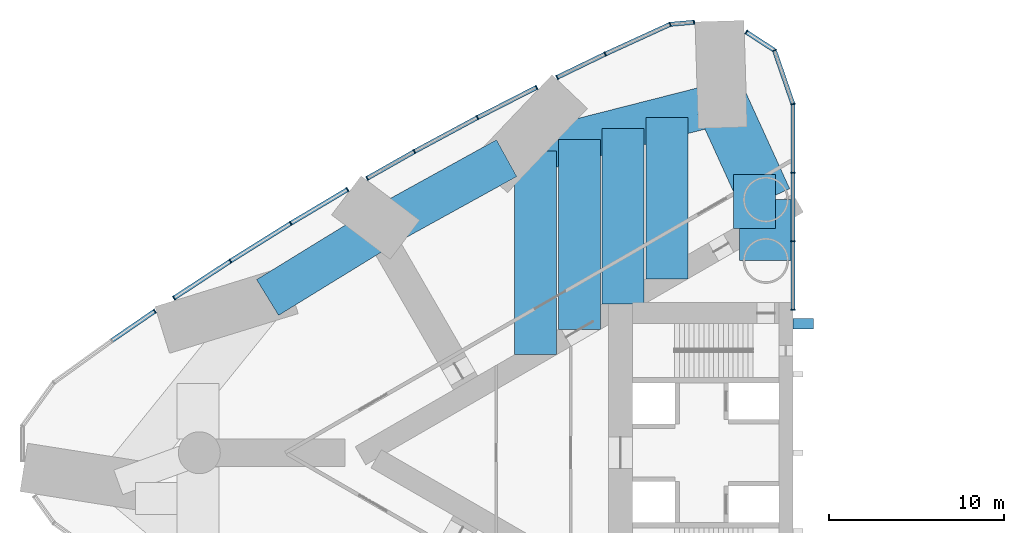
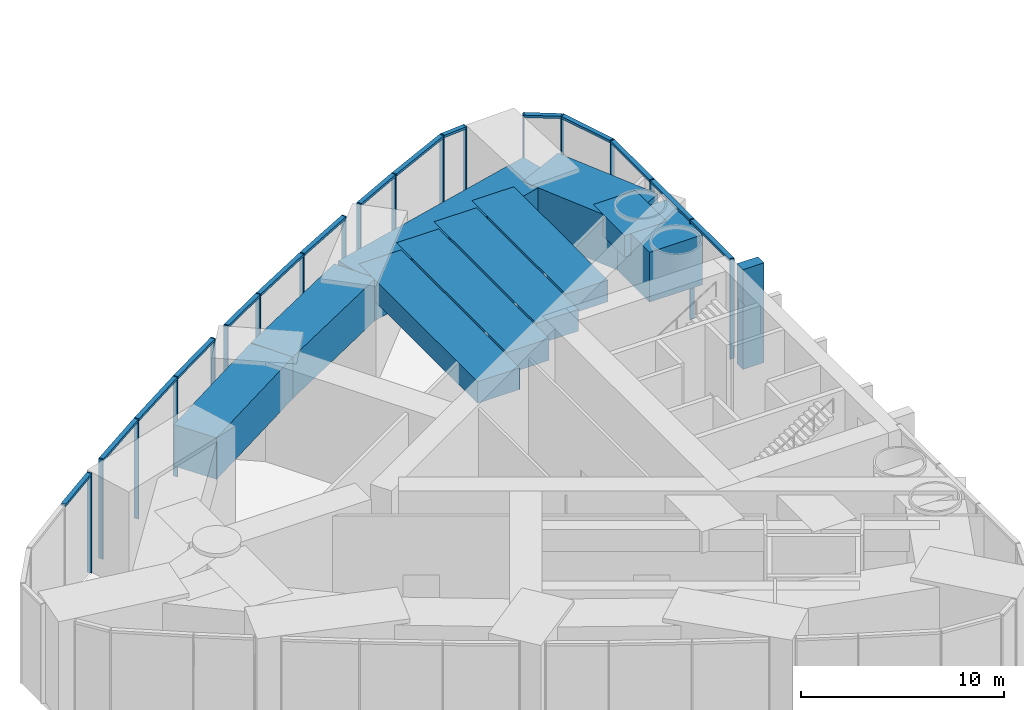
# One storey, part 5 of 16: 35 members, 10 beams, 5 elements without a shape of their own.
"""IFC4 building model written with IfcOpenShell, lengths in metres."""

from ifc_helpers import new_model, si_unit, direction, frame, origin, origin_2d, place, context, subcontext, project, spatial, rectangle, extrude, material, material_profile, profile_set, type_object, element, aggregate, save


model = new_model("IFC4")

# Units and contexts
model_context = context("Model", 3, precision=1e-05, world=origin(), true_north=direction((0.0, 1.0)))
body_context = subcontext(model_context, "Body", "Model", "MODEL_VIEW")
ifc_project = project(units=[si_unit("LENGTHUNIT", "METRE"), si_unit("AREAUNIT", "SQUARE_METRE"), si_unit("VOLUMEUNIT", "CUBIC_METRE"), si_unit("PLANEANGLEUNIT", "RADIAN"), si_unit("MASSUNIT", "GRAM", prefix="KILO")], contexts=[model_context])

# Site, building, storey
site_placement = place(None, origin())
site = spatial("IfcSite", under=ifc_project, at=site_placement, CompositionType="ELEMENT")
building_placement = place(site_placement, origin())
building = spatial("IfcBuilding", under=site, at=building_placement, Name="Lancet Gate Hotel", CompositionType="ELEMENT")
storey_placement = place(building_placement, frame((0.0, 0.0, 146.699951171875)))
storey = spatial("IfcBuildingStorey", under=building, at=storey_placement, Name="L39", CompositionType="ELEMENT", Elevation=146.699951171875)

# Curtain wall, members
ifc_material_1 = material(Name="Aluminium curtain wall", Category="aluminium")
curtain_wall_type = type_object("IfcCurtainWallType", Name="Refuge storey louvred curtain wall", PredefinedType="USERDEFINED", material=ifc_material_1)
curtain_wall_1_placement = place(storey_placement, origin())
curtain_wall_1 = element("IfcCurtainWall", 1, at=curtain_wall_1_placement, inside=storey, type_object=curtain_wall_type, Name="T1 L39 curtain wall 1", ObjectType="LANTERN GLAZING", PredefinedType="USERDEFINED")
ifc_material_2 = material(Name="Aluminium mullion", Category="aluminium")
ifc_material_profile_1 = material_profile(ifc_material_2, rectangle(XDim=0.06494140625, YDim=0.25, at=origin_2d()), Name="MULLION 65x250")
ifc_profile_set_1 = profile_set([ifc_material_profile_1], Name="Aluminium mullion")
member_type_1 = type_object("IfcMemberType", Name="Aluminium mullion 65x250", PredefinedType="MULLION", material=ifc_profile_set_1)
member_1_placement = place(storey_placement, frame((-27.5, 8.199951171875, 0.0), z_axis=(0.0, 0.0, 1.0), x_axis=(0.0, 1.0, 0.0)))
member_1 = element("IfcMember", 2, at=member_1_placement, type_object=member_type_1, Name="T1 L39 curtain wall 1 mullion 1", PredefinedType="MULLION", context=body_context, shape_type="SweptSolid", body=[
    extrude(rectangle(XDim=0.06494140625, YDim=0.25, at=origin_2d()), origin(), (0.0, 0.0, 1.0), 6.0),
])
member_2_placement = place(storey_placement, frame((-27.5, 12.123779296875, 0.0), z_axis=(0.0, 0.0, 1.0), x_axis=(0.0, 1.0, 0.0)))
member_2 = element("IfcMember", 3, at=member_2_placement, type_object=member_type_1, Name="T1 L39 curtain wall 1 mullion 2", PredefinedType="MULLION", context=body_context, shape_type="SweptSolid", body=[
    extrude(rectangle(XDim=0.06494140625, YDim=0.25, at=origin_2d()), origin(), (0.0, 0.0, 1.0), 6.0),
])
member_3_placement = place(storey_placement, frame((-27.5, 16.04736328125, 0.0), z_axis=(0.0, 0.0, 1.0), x_axis=(0.0, 1.0, 0.0)))
member_3 = element("IfcMember", 4, at=member_3_placement, type_object=member_type_1, Name="T1 L39 curtain wall 1 mullion 3", PredefinedType="MULLION", context=body_context, shape_type="SweptSolid", body=[
    extrude(rectangle(XDim=0.06494140625, YDim=0.25, at=origin_2d()), origin(), (0.0, 0.0, 1.0), 6.0),
])
member_4_placement = place(storey_placement, frame((-27.5, 19.97119140625, 0.0), z_axis=(0.0, 0.0, 1.0), x_axis=(-0.149634446211, 0.988741388082, 0.0)))
member_4 = element("IfcMember", 5, at=member_4_placement, type_object=member_type_1, Name="T1 L39 curtain wall 1 mullion 4", PredefinedType="MULLION", context=body_context, shape_type="SweptSolid", body=[
    extrude(rectangle(XDim=0.06494140625, YDim=0.25, at=origin_2d()), origin(), (0.0, 0.0, 1.0), 6.0),
])
member_5_placement = place(storey_placement, frame((-28.5595703125, 23.049072265625, 0.0), z_axis=(0.0, 0.0, 1.0), x_axis=(-0.54341030803, 0.839467234099, 0.0)))
member_5 = element("IfcMember", 6, at=member_5_placement, type_object=member_type_1, Name="T1 L39 curtain wall 1 mullion 5", PredefinedType="MULLION", context=body_context, shape_type="SweptSolid", body=[
    extrude(rectangle(XDim=0.06494140625, YDim=0.25, at=origin_2d()), origin(), (0.0, 0.0, 1.0), 6.0),
])
member_6_placement = place(storey_placement, frame((-30.16943359375, 24.0947265625, 0.0), z_axis=(0.0, 0.0, 1.0), x_axis=(-0.838580121261, 0.544778285385, 0.0)))
member_6 = element("IfcMember", 7, at=member_6_placement, type_object=member_type_1, Name="T1 L39 curtain wall 1 mullion 6", PredefinedType="MULLION", context=body_context, shape_type="SweptSolid", body=[
    extrude(rectangle(XDim=0.06494140625, YDim=0.25, at=origin_2d()), origin(), (0.0, 0.0, 1.0), 6.0),
])

curtain_wall_2_placement = place(storey_placement, origin())
curtain_wall_2 = element("IfcCurtainWall", 8, at=curtain_wall_2_placement, inside=storey, type_object=curtain_wall_type, Name="T1 L39 curtain wall 2", ObjectType="LANTERN GLAZING", PredefinedType="USERDEFINED")
member_7_placement = place(storey_placement, frame((-33.1650390625, 24.65869140625, 0.0), z_axis=(0.0, 0.0, 1.0), x_axis=(-0.996218779711, -0.086880049207, 0.0)))
member_7 = element("IfcMember", 9, at=member_7_placement, type_object=member_type_1, Name="T1 L39 curtain wall 2 mullion 1", PredefinedType="MULLION", context=body_context, shape_type="SweptSolid", body=[
    extrude(rectangle(XDim=0.06494140625, YDim=0.25, at=origin_2d()), origin(), (0.0, 0.0, 1.0), 6.0),
])
member_8_placement = place(storey_placement, frame((-34.5322265625, 24.53955078125, 0.0), z_axis=(0.0, 0.0, 1.0), x_axis=(-0.941424024257, -0.337225157058, 0.0)))
member_8 = element("IfcMember", 10, at=member_8_placement, type_object=member_type_1, Name="T1 L39 curtain wall 2 mullion 2", PredefinedType="MULLION", context=body_context, shape_type="SweptSolid", body=[
    extrude(rectangle(XDim=0.06494140625, YDim=0.25, at=origin_2d()), origin(), (0.0, 0.0, 1.0), 6.0),
])
member_9_placement = place(storey_placement, frame((-38.25244140625, 22.83642578125, 0.0), z_axis=(0.0, 0.0, 1.0), x_axis=(-0.905378883959, -0.42460461194, 0.0)))
member_9 = element("IfcMember", 11, at=member_9_placement, type_object=member_type_1, Name="T1 L39 curtain wall 2 mullion 3", PredefinedType="MULLION", context=body_context, shape_type="SweptSolid", body=[
    extrude(rectangle(XDim=0.06494140625, YDim=0.25, at=origin_2d()), origin(), (0.0, 0.0, 1.0), 6.0),
])
member_10_placement = place(storey_placement, frame((-41.008056640625, 21.50244140625, 0.0), z_axis=(0.0, 0.0, 1.0), x_axis=(-0.900081672047, -0.435721222395, 0.0)))
member_10 = element("IfcMember", 12, at=member_10_placement, type_object=member_type_1, Name="T1 L39 curtain wall 2 mullion 4", PredefinedType="MULLION", context=body_context, shape_type="SweptSolid", body=[
    extrude(rectangle(XDim=0.06494140625, YDim=0.25, at=origin_2d()), origin(), (0.0, 0.0, 1.0), 6.0),
])

curtain_wall_3_placement = place(storey_placement, origin())
curtain_wall_3 = element("IfcCurtainWall", 13, at=curtain_wall_3_placement, inside=storey, type_object=curtain_wall_type, Name="T1 L39 curtain wall 3", ObjectType="LANTERN GLAZING", PredefinedType="USERDEFINED")
member_11_placement = place(storey_placement, frame((-42.182861328125, 20.927001953125, 0.0), z_axis=(0.0, 0.0, 1.0), x_axis=(-0.890493479451, -0.45499600334, 0.0)))
member_11 = element("IfcMember", 14, at=member_11_placement, type_object=member_type_1, Name="T1 L39 curtain wall 3 mullion 1", PredefinedType="MULLION", context=body_context, shape_type="SweptSolid", body=[
    extrude(rectangle(XDim=0.06494140625, YDim=0.25, at=origin_2d()), origin(), (0.0, 0.0, 1.0), 6.0),
])
member_12_placement = place(storey_placement, frame((-45.578857421875, 19.19189453125, 0.0), z_axis=(0.0, 0.0, 1.0), x_axis=(-0.885368485126, -0.464889928418, 0.0)))
member_12 = element("IfcMember", 15, at=member_12_placement, type_object=member_type_1, Name="T1 L39 curtain wall 3 mullion 2", PredefinedType="MULLION", context=body_context, shape_type="SweptSolid", body=[
    extrude(rectangle(XDim=0.06494140625, YDim=0.25, at=origin_2d()), origin(), (0.0, 0.0, 1.0), 6.0),
])
member_13_placement = place(storey_placement, frame((-49.181640625, 17.252197265625, 0.0), z_axis=(0.0, 0.0, 1.0), x_axis=(-0.87604701134, -0.482225708483, 0.0)))
member_13 = element("IfcMember", 16, at=member_13_placement, type_object=member_type_1, Name="T1 L39 curtain wall 3 mullion 3", PredefinedType="MULLION", context=body_context, shape_type="SweptSolid", body=[
    extrude(rectangle(XDim=0.06494140625, YDim=0.25, at=origin_2d()), origin(), (0.0, 0.0, 1.0), 6.0),
])
member_14_placement = place(storey_placement, frame((-51.887939453125, 15.718994140625, 0.0), z_axis=(0.0, 0.0, 1.0), x_axis=(-0.870083629903, -0.49290412554, 0.0)))
member_14 = element("IfcMember", 17, at=member_14_placement, type_object=member_type_1, Name="T1 L39 curtain wall 3 mullion 4", PredefinedType="MULLION", context=body_context, shape_type="SweptSolid", body=[
    extrude(rectangle(XDim=0.06494140625, YDim=0.25, at=origin_2d()), origin(), (0.0, 0.0, 1.0), 6.0),
])

curtain_wall_4_placement = place(storey_placement, origin())
curtain_wall_4 = element("IfcCurtainWall", 18, at=curtain_wall_4_placement, inside=storey, type_object=curtain_wall_type, Name="T1 L39 curtain wall 4", ObjectType="LANTERN GLAZING", PredefinedType="USERDEFINED")
member_15_placement = place(storey_placement, frame((-53.01171875, 15.07470703125, 0.0), z_axis=(0.0, 0.0, 1.0), x_axis=(-0.859271431916, -0.511519898238, 0.0)))
member_15 = element("IfcMember", 19, at=member_15_placement, type_object=member_type_1, Name="T1 L39 curtain wall 4 mullion 1", PredefinedType="MULLION", context=body_context, shape_type="SweptSolid", body=[
    extrude(rectangle(XDim=0.06494140625, YDim=0.25, at=origin_2d()), origin(), (0.0, 0.0, 1.0), 6.0),
])
member_16_placement = place(storey_placement, frame((-56.257568359375, 13.142333984375, 0.0), z_axis=(0.0, 0.0, 1.0), x_axis=(-0.853491766052, -0.521106328192, 0.0)))
member_16 = element("IfcMember", 20, at=member_16_placement, type_object=member_type_1, Name="T1 L39 curtain wall 4 mullion 2", PredefinedType="MULLION", context=body_context, shape_type="SweptSolid", body=[
    extrude(rectangle(XDim=0.06494140625, YDim=0.25, at=origin_2d()), origin(), (0.0, 0.0, 1.0), 6.0),
])
member_17_placement = place(storey_placement, frame((-59.7275390625, 10.974365234375, 0.0), z_axis=(0.0, 0.0, 1.0), x_axis=(-0.842478010334, -0.538730732467, 0.0)))
member_17 = element("IfcMember", 21, at=member_17_placement, type_object=member_type_1, Name="T1 L39 curtain wall 4 mullion 3", PredefinedType="MULLION", context=body_context, shape_type="SweptSolid", body=[
    extrude(rectangle(XDim=0.06494140625, YDim=0.25, at=origin_2d()), origin(), (0.0, 0.0, 1.0), 6.0),
])
member_18_placement = place(storey_placement, frame((-62.955078125, 8.859619140625, 0.0), z_axis=(0.0, 0.0, 1.0), x_axis=(-0.836457541791, -0.54803173337, 0.0)))
member_18 = element("IfcMember", 22, at=member_18_placement, type_object=member_type_1, Name="T1 L39 curtain wall 4 mullion 4", PredefinedType="MULLION", context=body_context, shape_type="SweptSolid", body=[
    extrude(rectangle(XDim=0.06494140625, YDim=0.25, at=origin_2d()), origin(), (0.0, 0.0, 1.0), 6.0),
])

# Curtain wall, member
curtain_wall_5_placement = place(storey_placement, origin())
curtain_wall_5 = element("IfcCurtainWall", 23, at=curtain_wall_5_placement, inside=storey, type_object=curtain_wall_type, Name="T1 L39 curtain wall 5", ObjectType="LANTERN GLAZING", PredefinedType="USERDEFINED")
member_19_placement = place(storey_placement, frame((-64.05029296875, 8.11376953125, 0.0), z_axis=(0.0, 0.0, 1.0), x_axis=(-0.824466422775, -0.565910874357, 0.0)))
member_19 = element("IfcMember", 24, at=member_19_placement, type_object=member_type_1, Name="T1 L39 curtain wall 5 mullion 1", PredefinedType="MULLION", context=body_context, shape_type="SweptSolid", body=[
    extrude(rectangle(XDim=0.06494140625, YDim=0.25, at=origin_2d()), origin(), (0.0, 0.0, 1.0), 6.0),
])

# Member
ifc_material_3 = material(Name="Aluminium transom", Category="aluminium")
ifc_material_profile_2 = material_profile(ifc_material_3, rectangle(XDim=0.25, YDim=0.14990234375, at=origin_2d()), Name="TRANSOM 250x150")
ifc_profile_set_2 = profile_set([ifc_material_profile_2], Name="Aluminium transom")
member_type_2 = type_object("IfcMemberType", Name="Aluminium transom 250x150", PredefinedType="USERDEFINED", material=ifc_profile_set_2)
member_20_placement = place(storey_placement, frame((-27.5, 8.232421875, 5.925048828125), z_axis=(0.0, 1.0, 0.0), x_axis=(-1.0, 0.0, 0.0)))
member_20 = element("IfcMember", 25, at=member_20_placement, type_object=member_type_2, Name="T1 L39 curtain wall 1 transom 1", ObjectType="TRANSOM", PredefinedType="USERDEFINED", context=body_context, shape_type="SweptSolid", body=[
    extrude(rectangle(XDim=0.25, YDim=0.14990234375, at=origin_2d()), origin(), (0.0, 0.0, 1.0), 3.85888671875),
])

member_21_placement = place(storey_placement, frame((-27.5, 12.15625, 5.925048828125), z_axis=(0.0, 1.0, 0.0), x_axis=(-1.0, 0.0, 0.0)))
member_21 = element("IfcMember", 26, at=member_21_placement, type_object=member_type_2, Name="T1 L39 curtain wall 1 transom 2", ObjectType="TRANSOM", PredefinedType="USERDEFINED", context=body_context, shape_type="SweptSolid", body=[
    extrude(rectangle(XDim=0.25, YDim=0.14990234375, at=origin_2d()), origin(), (0.0, 0.0, 1.0), 3.858642578125),
])

member_22_placement = place(storey_placement, frame((-27.5, 16.079833984375, 5.925048828125), z_axis=(0.0, 1.0, 0.0), x_axis=(-1.0, 0.0, 0.0)))
member_22 = element("IfcMember", 27, at=member_22_placement, type_object=member_type_2, Name="T1 L39 curtain wall 1 transom 3", ObjectType="TRANSOM", PredefinedType="USERDEFINED", context=body_context, shape_type="SweptSolid", body=[
    extrude(rectangle(XDim=0.25, YDim=0.14990234375, at=origin_2d()), origin(), (0.0, 0.0, 1.0), 3.858642578125),
])

member_23_placement = place(storey_placement, frame((-27.510498046875, 20.001708984375, 5.925048828125), z_axis=(-0.32553312754, 0.945530635609, 0.0), x_axis=(-0.945530635609, -0.32553312754, 0.0)))
member_23 = element("IfcMember", 28, at=member_23_placement, type_object=member_type_2, Name="T1 L39 curtain wall 1 transom 4", ObjectType="TRANSOM", PredefinedType="USERDEFINED", context=body_context, shape_type="SweptSolid", body=[
    extrude(rectangle(XDim=0.25, YDim=0.14990234375, at=origin_2d()), origin(), (0.0, 0.0, 1.0), 3.1904296875),
])

member_24_placement = place(storey_placement, frame((-28.5869140625, 23.066650390625, 5.925048828125), z_axis=(-0.838593972451, 0.54475696358, 0.0), x_axis=(-0.54475696358, -0.838593972451, 0.0)))
member_24 = element("IfcMember", 29, at=member_24_placement, type_object=member_type_2, Name="T1 L39 curtain wall 1 transom 5", ObjectType="TRANSOM", PredefinedType="USERDEFINED", context=body_context, shape_type="SweptSolid", body=[
    extrude(rectangle(XDim=0.25, YDim=0.14990234375, at=origin_2d()), origin(), (0.0, 0.0, 1.0), 1.8544921875),
])

aggregate(curtain_wall_1, [member_1, member_2, member_3, member_4, member_5, member_6, member_20, member_21, member_22, member_23, member_24])

member_25_placement = place(storey_placement, frame((-33.197509765625, 24.656005859375, 5.925048828125), z_axis=(-0.996205466328, -0.087032573549, 0.0), x_axis=(0.087032573549, -0.996205466328, 0.0)))
member_25 = element("IfcMember", 30, at=member_25_placement, type_object=member_type_2, Name="T1 L39 curtain wall 2 transom 1", ObjectType="TRANSOM", PredefinedType="USERDEFINED", context=body_context, shape_type="SweptSolid", body=[
    extrude(rectangle(XDim=0.25, YDim=0.14990234375, at=origin_2d()), origin(), (0.0, 0.0, 1.0), 1.30712890625),
])

member_26_placement = place(storey_placement, frame((-34.561767578125, 24.52587890625, 5.925048828125), z_axis=(-0.909252284196, -0.416245460857, 0.0), x_axis=(0.416245460857, -0.909252284196, 0.0)))
member_26 = element("IfcMember", 31, at=member_26_placement, type_object=member_type_2, Name="T1 L39 curtain wall 2 transom 2", ObjectType="TRANSOM", PredefinedType="USERDEFINED", context=body_context, shape_type="SweptSolid", body=[
    extrude(rectangle(XDim=0.25, YDim=0.14990234375, at=origin_2d()), origin(), (0.0, 0.0, 1.0), 4.026611328125),
])

member_27_placement = place(storey_placement, frame((-38.28173828125, 22.822265625, 5.925048828125), z_axis=(-0.90008917215, -0.435705728879, 0.0), x_axis=(0.435705728879, -0.90008917215, 0.0)))
member_27 = element("IfcMember", 32, at=member_27_placement, type_object=member_type_2, Name="T1 L39 curtain wall 2 transom 3", ObjectType="TRANSOM", PredefinedType="USERDEFINED", context=body_context, shape_type="SweptSolid", body=[
    extrude(rectangle(XDim=0.25, YDim=0.14990234375, at=origin_2d()), origin(), (0.0, 0.0, 1.0), 2.99658203125),
])

aggregate(curtain_wall_2, [member_7, member_8, member_9, member_10, member_25, member_26, member_27])

member_28_placement = place(storey_placement, frame((-42.211669921875, 20.912353515625, 5.925048828125), z_axis=(-0.890485698611, -0.455011231256, 0.0), x_axis=(0.455011231256, -0.890485698611, 0.0)))
member_28 = element("IfcMember", 33, at=member_28_placement, type_object=member_type_2, Name="T1 L39 curtain wall 3 transom 1", ObjectType="TRANSOM", PredefinedType="USERDEFINED", context=body_context, shape_type="SweptSolid", body=[
    extrude(rectangle(XDim=0.25, YDim=0.14990234375, at=origin_2d()), origin(), (0.0, 0.0, 1.0), 3.7490234375),
])

member_29_placement = place(storey_placement, frame((-45.607421875, 19.176513671875, 5.925048828125), z_axis=(-0.880498353192, -0.474049206335, 0.0), x_axis=(0.474049206335, -0.880498353192, 0.0)))
member_29 = element("IfcMember", 34, at=member_29_placement, type_object=member_type_2, Name="T1 L39 curtain wall 3 transom 2", ObjectType="TRANSOM", PredefinedType="USERDEFINED", context=body_context, shape_type="SweptSolid", body=[
    extrude(rectangle(XDim=0.25, YDim=0.14990234375, at=origin_2d()), origin(), (0.0, 0.0, 1.0), 4.02685546875),
])

member_30_placement = place(storey_placement, frame((-49.2099609375, 17.236083984375, 5.925048828125), z_axis=(-0.870092098854, -0.492889175689, 0.0), x_axis=(0.492889175689, -0.870092098854, 0.0)))
member_30 = element("IfcMember", 35, at=member_30_placement, type_object=member_type_2, Name="T1 L39 curtain wall 3 transom 3", ObjectType="TRANSOM", PredefinedType="USERDEFINED", context=body_context, shape_type="SweptSolid", body=[
    extrude(rectangle(XDim=0.25, YDim=0.14990234375, at=origin_2d()), origin(), (0.0, 0.0, 1.0), 3.045166015625),
])

aggregate(curtain_wall_3, [member_11, member_12, member_13, member_14, member_28, member_29, member_30])

member_31_placement = place(storey_placement, frame((-53.03955078125, 15.05810546875, 5.925048828125), z_axis=(-0.859274990737, -0.511513919941, 0.0), x_axis=(0.511513919941, -0.859274990737, 0.0)))
member_31 = element("IfcMember", 36, at=member_31_placement, type_object=member_type_2, Name="T1 L39 curtain wall 4 transom 1", ObjectType="TRANSOM", PredefinedType="USERDEFINED", context=body_context, shape_type="SweptSolid", body=[
    extrude(rectangle(XDim=0.25, YDim=0.14990234375, at=origin_2d()), origin(), (0.0, 0.0, 1.0), 3.71240234375),
])

member_32_placement = place(storey_placement, frame((-56.28515625, 13.125244140625, 5.925048828125), z_axis=(-0.848049393821, -0.529917187531, 0.0), x_axis=(0.529917187531, -0.848049393821, 0.0)))
member_32 = element("IfcMember", 37, at=member_32_placement, type_object=member_type_2, Name="T1 L39 curtain wall 4 transom 2", ObjectType="TRANSOM", PredefinedType="USERDEFINED", context=body_context, shape_type="SweptSolid", body=[
    extrude(rectangle(XDim=0.25, YDim=0.14990234375, at=origin_2d()), origin(), (0.0, 0.0, 1.0), 4.026611328125),
])

member_33_placement = place(storey_placement, frame((-59.754638671875, 10.95654296875, 5.925048828125), z_axis=(-0.836459095123, -0.548029362522, 0.0), x_axis=(0.548029362522, -0.836459095123, 0.0)))
member_33 = element("IfcMember", 38, at=member_33_placement, type_object=member_type_2, Name="T1 L39 curtain wall 4 transom 3", ObjectType="TRANSOM", PredefinedType="USERDEFINED", context=body_context, shape_type="SweptSolid", body=[
    extrude(rectangle(XDim=0.25, YDim=0.14990234375, at=origin_2d()), origin(), (0.0, 0.0, 1.0), 3.793701171875),
])

aggregate(curtain_wall_4, [member_15, member_16, member_17, member_18, member_31, member_32, member_33])

member_34_placement = place(storey_placement, frame((-64.0771484375, 8.095458984375, 5.925048828125), z_axis=(-0.824473774835, -0.565900163111, 0.0), x_axis=(0.565900163111, -0.824473774835, 0.0)))
member_34 = element("IfcMember", 39, at=member_34_placement, type_object=member_type_2, Name="T1 L39 curtain wall 5 transom 1", ObjectType="TRANSOM", PredefinedType="USERDEFINED", context=body_context, shape_type="SweptSolid", body=[
    extrude(rectangle(XDim=0.25, YDim=0.14990234375, at=origin_2d()), origin(), (0.0, 0.0, 1.0), 2.9345703125),
])

aggregate(curtain_wall_5, [member_19, member_34])

ifc_material_4 = material(Name="Concrete C60/75", Category="concrete")
ifc_material_profile_3 = material_profile(ifc_material_4, rectangle(XDim=0.60009765625, YDim=1.199951171875, at=origin_2d()), Name="FIN 600x1200")
ifc_profile_set_3 = profile_set([ifc_material_profile_3], Name="Concrete C60/75")
member_type_3 = type_object("IfcMemberType", Name="Exposed concrete buttress pilaster 600x1200", PredefinedType="USERDEFINED", material=ifc_profile_set_3)
member_35_placement = place(storey_placement, frame((-26.909912109375, 7.39990234375, 0.0), z_axis=(0.0, 0.0, 1.0), x_axis=(0.0, 1.0, 0.0)))
element("IfcMember", 40, at=member_35_placement, inside=storey, type_object=member_type_3, Name="T1 buttress pilaster S L39", ObjectType="FIN", PredefinedType="USERDEFINED", context=body_context, shape_type="SweptSolid", body=[
    extrude(rectangle(XDim=0.60009765625, YDim=1.199951171875, at=origin_2d()), origin(), (0.0, 0.0, 1.0), 6.0),
])

# Beams
ifc_material_5 = material(Name="Concrete C50/60", Category="concrete")
ifc_material_profile_4 = material_profile(ifc_material_5, rectangle(XDim=2.39990234375, YDim=1.300048828125, at=origin_2d()), Name="RC 2400x1300")
ifc_profile_set_4 = profile_set([ifc_material_profile_4], Name="Concrete C50/60")
beam_type_1 = type_object("IfcBeamType", Name="Floor beam RC 2400x1300", PredefinedType="BEAM", material=ifc_profile_set_4)
beam_1_placement = place(storey_placement, frame((-29.706787109375, 15.940185546875, 5.10009765625), z_axis=(0.0, -1.0, 0.0), x_axis=(1.0, 0.0, 0.0)))
element("IfcBeam", 41, at=beam_1_placement, inside=storey, type_object=beam_type_1, Name="T1 floor beam F01S L39", PredefinedType="BEAM", context=body_context, shape_type="SweptSolid", body=[
    extrude(rectangle(XDim=2.39990234375, YDim=1.300048828125, at=origin_2d()), origin(), (0.0, 0.0, 1.0), 3.087646484375),
])
beam_2_placement = place(storey_placement, frame((-34.720458984375, 19.211669921875, 5.10009765625), z_axis=(0.0, -1.0, 0.0), x_axis=(1.0, 0.0, 0.0)))
element("IfcBeam", 42, at=beam_2_placement, inside=storey, type_object=beam_type_1, Name="T1 floor beam F03S L39", PredefinedType="BEAM", context=body_context, shape_type="SweptSolid", body=[
    extrude(rectangle(XDim=2.39990234375, YDim=1.300048828125, at=origin_2d()), origin(), (0.0, 0.0, 1.0), 9.253662109375),
])
beam_3_placement = place(storey_placement, frame((-37.227294921875, 18.572509765625, 5.10009765625), z_axis=(0.0, -1.0, 0.0), x_axis=(1.0, 0.0, 0.0)))
element("IfcBeam", 43, at=beam_3_placement, inside=storey, type_object=beam_type_1, Name="T1 floor beam F04S L39", PredefinedType="BEAM", context=body_context, shape_type="SweptSolid", body=[
    extrude(rectangle(XDim=2.39990234375, YDim=1.300048828125, at=origin_2d()), origin(), (0.0, 0.0, 1.0), 10.061767578125),
])
beam_4_placement = place(storey_placement, frame((-39.734130859375, 17.93359375, 5.10009765625), z_axis=(0.0, -1.0, 0.0), x_axis=(1.0, 0.0, 0.0)))
element("IfcBeam", 44, at=beam_4_placement, inside=storey, type_object=beam_type_1, Name="T1 floor beam F06S L39", PredefinedType="BEAM", context=body_context, shape_type="SweptSolid", body=[
    extrude(rectangle(XDim=2.39990234375, YDim=1.300048828125, at=origin_2d()), origin(), (0.0, 0.0, 1.0), 10.8701171875),
])
beam_5_placement = place(storey_placement, frame((-42.240966796875, 17.29443359375, 5.10009765625), z_axis=(0.0, -1.0, 0.0), x_axis=(1.0, 0.0, 0.0)))
element("IfcBeam", 45, at=beam_5_placement, inside=storey, type_object=beam_type_1, Name="T1 floor beam F07S L39", PredefinedType="BEAM", context=body_context, shape_type="SweptSolid", body=[
    extrude(rectangle(XDim=2.39990234375, YDim=1.300048828125, at=origin_2d()), origin(), (0.0, 0.0, 1.0), 11.678466796875),
])
ifc_material_6 = material(Name="Concrete C50/60", Category="concrete")
ifc_material_profile_5 = material_profile(ifc_material_6, rectangle(XDim=2.39990234375, YDim=2.5, at=origin_2d()), Name="RC 2400x2500")
ifc_profile_set_5 = profile_set([ifc_material_profile_5], Name="Concrete C50/60")
beam_type_2 = type_object("IfcBeamType", Name="Tie ring beam RC 2400x2500", PredefinedType="SPANDREL", material=ifc_profile_set_5)
beam_6_placement = place(storey_placement, frame((-31.5654296875, 20.015869140625, 4.5), z_axis=(-0.969008414312, -0.247027717052, 0.0), x_axis=(0.247027717052, -0.969008414312, 0.0)))
element("IfcBeam", 46, at=beam_6_placement, inside=storey, type_object=beam_type_2, Name="T1 tie ring beam RG1 L39", PredefinedType="SPANDREL", context=body_context, shape_type="SweptSolid", body=[
    extrude(rectangle(XDim=2.39990234375, YDim=2.5, at=origin_2d()), origin(), (0.0, 0.0, 1.0), 12.7294921875),
])
beam_7_placement = place(storey_placement, frame((-43.900390625, 16.871337890625, 4.5), z_axis=(-0.875577684027, -0.483077342911, 0.0), x_axis=(0.483077342911, -0.875577684027, 0.0)))
element("IfcBeam", 47, at=beam_7_placement, inside=storey, type_object=beam_type_2, Name="T1 tie ring beam RG1 L39", PredefinedType="SPANDREL", context=body_context, shape_type="SweptSolid", body=[
    extrude(rectangle(XDim=2.39990234375, YDim=2.5, at=origin_2d()), origin(), (0.0, 0.0, 1.0), 7.924560546875),
])
beam_8_placement = place(storey_placement, frame((-50.8388671875, 13.043212890625, 4.5), z_axis=(-0.851892008043, -0.523717487423, 0.0), x_axis=(0.523717487423, -0.851892008043, 0.0)))
element("IfcBeam", 48, at=beam_8_placement, inside=storey, type_object=beam_type_2, Name="T1 tie ring beam RG1 L39", PredefinedType="SPANDREL", context=body_context, shape_type="SweptSolid", body=[
    extrude(rectangle(XDim=2.39990234375, YDim=2.5, at=origin_2d()), origin(), (0.0, 0.0, 1.0), 7.92431640625),
])
ifc_material_7 = material(Name="Concrete C50/60", Category="concrete")
ifc_material_profile_6 = material_profile(ifc_material_7, rectangle(XDim=3.0, YDim=3.0, at=origin_2d()), Name="RC 3000x3000")
ifc_profile_set_6 = profile_set([ifc_material_profile_6], Name="Concrete C50/60")
beam_type_3 = type_object("IfcBeamType", Name="Tie ring beam RC 3000x3000", PredefinedType="SPANDREL", material=ifc_profile_set_6)
beam_9_placement = place(storey_placement, frame((-31.5654296875, 20.015869140625, 4.25), z_axis=(0.414919206993, -0.909858259109, 0.0), x_axis=(0.909858259109, 0.414919206993, 0.0)))
element("IfcBeam", 49, at=beam_9_placement, inside=storey, type_object=beam_type_3, Name="T1 tie ring beam RG4 L39", PredefinedType="SPANDREL", context=body_context, shape_type="SweptSolid", body=[
    extrude(rectangle(XDim=3.0, YDim=3.0, at=origin_2d()), origin(), (0.0, 0.0, 1.0), 6.062255859375),
])
beam_10_placement = place(storey_placement, frame((-29.050048828125, 14.5, 4.25), z_axis=(0.0, -1.0, 0.0), x_axis=(1.0, 0.0, 0.0)))
element("IfcBeam", 50, at=beam_10_placement, inside=storey, type_object=beam_type_3, Name="T1 tie ring beam RG4 L39", PredefinedType="SPANDREL", context=body_context, shape_type="SweptSolid", body=[
    extrude(rectangle(XDim=3.0, YDim=3.0, at=origin_2d()), origin(), (0.0, 0.0, 1.0), 3.5),
])

save(model, "model.ifc")
